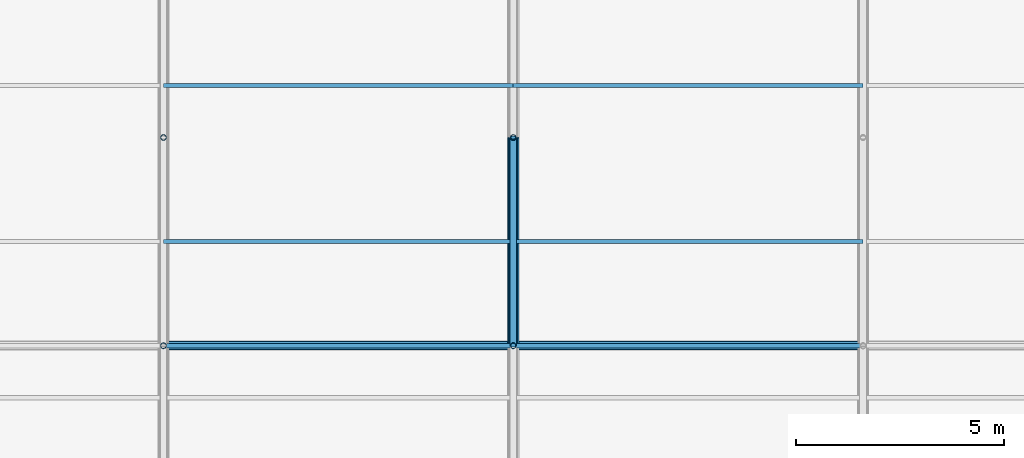
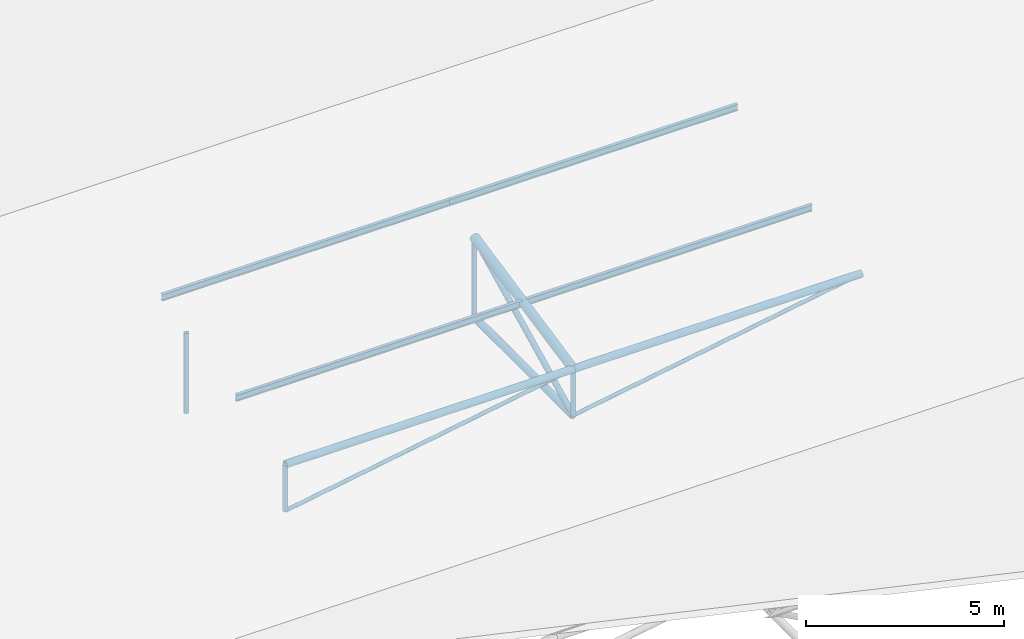
# One storey, part 54 of 194: 11 members, 4 beams.
"""IFC4 building model written with IfcOpenShell, lengths in metres."""

from ifc_helpers import new_model, si_unit, direction, frame, origin, origin_2d, place, context, subcontext, project, spatial, hollow_circle, i_section, extrude, material, material_profile, profile_set, type_object, element, save


model = new_model("IFC4")

# Units and contexts
model_context = context("Model", 3, precision=1e-05, world=origin(), true_north=direction((0.0, 1.0)))
body_context = subcontext(model_context, "Body", "Model", "MODEL_VIEW")
ifc_project = project(units=[si_unit("LENGTHUNIT", "METRE"), si_unit("AREAUNIT", "SQUARE_METRE"), si_unit("VOLUMEUNIT", "CUBIC_METRE"), si_unit("PLANEANGLEUNIT", "RADIAN"), si_unit("MASSUNIT", "GRAM", prefix="KILO")], contexts=[model_context])

# Site, building, storey
site_placement = place(None, origin())
site = spatial("IfcSite", under=ifc_project, at=site_placement, CompositionType="ELEMENT")
building_placement = place(site_placement, origin())
building = spatial("IfcBuilding", under=site, at=building_placement, Name="Kazenagashi Tramway Depot", CompositionType="ELEMENT")
storey_placement = place(building_placement, frame((0.0, 0.0, 23.7)))
storey = spatial("IfcBuildingStorey", under=building, at=storey_placement, Name="ROOF", CompositionType="ELEMENT", Elevation=23.7)

# Beams
ifc_material_1 = material(Name="Steel SN400B", Category="steel")
ifc_material_profile_1 = material_profile(ifc_material_1, i_section(OverallWidth=0.1, OverallDepth=0.2, WebThickness=0.0055, FlangeThickness=0.008, at=origin_2d()), Name="H-200x100x5.5x8")
ifc_profile_set_1 = profile_set([ifc_material_profile_1], Name="Steel SN400B")
beam_type = type_object("IfcBeamType", Name="PR-01", PredefinedType="USERDEFINED", material=ifc_profile_set_1)
for number, where, z_axis, x_axis, name in (
    (1, (112.0, 107.5, -12.13), (1.0, 0.0, 0.0), (0.0, 1.0, 0.0), "Beam PR-01 BM-2152"),
    (2, (120.4, 107.5, -12.13), (1.0, 0.0, 0.0), (0.0, 1.0, 0.0), "Beam PR-01 BM-2153"),
    (3, (112.0, 111.25, -11.305), (1.0, 0.0, 0.0), (0.0, 1.0, 0.0), "Beam PR-01 BM-2170"),
    (4, (120.4, 111.25, -11.305), (1.0, 0.0, 0.0), (0.0, 1.0, 0.0), "Beam PR-01 BM-2171"),
):
    element("IfcBeam", number, at=place(storey_placement, frame(where, z_axis=z_axis, x_axis=x_axis)), inside=storey, type_object=beam_type, Name=name, ObjectType="PURLIN", PredefinedType="USERDEFINED", context=body_context, shape_type="SweptSolid", body=[
        extrude(i_section(OverallWidth=0.1, OverallDepth=0.2, WebThickness=0.0055, FlangeThickness=0.008, at=origin_2d()), origin(), (0.0, 0.0, 1.0), 8.4),
    ])

# Members
ifc_material_2 = material(Name="Steel STK490", Category="steel")
ifc_material_profile_2 = material_profile(ifc_material_2, hollow_circle(Radius=0.1337, WallThickness=0.0093, at=origin_2d()), Name="CHS-267.4x9.3")
ifc_profile_set_2 = profile_set([ifc_material_profile_2], Name="Steel STK490")
member_type_1 = type_object("IfcMemberType", Name="TC-01", PredefinedType="CHORD", material=ifc_profile_set_2)
member_1_placement = place(storey_placement, frame((120.4, 105.0, -12.667), z_axis=(0.0, 0.979279174591, 0.202514933305), x_axis=(-1.0, 0.0, 0.0)))
element("IfcMember", 5, at=member_1_placement, inside=storey, type_object=member_type_1, Name="Tubular Space Frame TC-01 MEM-0584", PredefinedType="CHORD", context=body_context, shape_type="SweptSolid", body=[
    extrude(hollow_circle(Radius=0.1337, WallThickness=0.0093, at=origin_2d()), origin(), (0.0, 0.0, 1.0), 5.105796),
])
ifc_material_profile_3 = material_profile(ifc_material_2, hollow_circle(Radius=0.10815, WallThickness=0.0082, at=origin_2d()), Name="CHS-216.3x8.2")
ifc_profile_set_3 = profile_set([ifc_material_profile_3], Name="Steel STK490")
member_type_2 = type_object("IfcMemberType", Name="TC-02", PredefinedType="CHORD", material=ifc_profile_set_3)
member_2_placement = place(storey_placement, frame((112.0, 105.0, -12.667), z_axis=(1.0, 0.0, 0.0), x_axis=(0.0, 1.0, 0.0)))
element("IfcMember", 6, at=member_2_placement, inside=storey, type_object=member_type_2, Name="Tubular Space Frame TC-02 MEM-0544", PredefinedType="CHORD", context=body_context, shape_type="SweptSolid", body=[
    extrude(hollow_circle(Radius=0.10815, WallThickness=0.0082, at=origin_2d()), origin(), (0.0, 0.0, 1.0), 8.4),
])
member_3_placement = place(storey_placement, frame((120.4, 105.0, -14.1), z_axis=(0.0, 1.0, 0.0), x_axis=(-1.0, 0.0, 0.0)))
element("IfcMember", 7, at=member_3_placement, inside=storey, type_object=member_type_2, Name="Tubular Space Frame TC-02 MEM-0585", PredefinedType="CHORD", context=body_context, shape_type="SweptSolid", body=[
    extrude(hollow_circle(Radius=0.10815, WallThickness=0.0082, at=origin_2d()), origin(), (0.0, 0.0, 1.0), 5.0),
])
member_4_placement = place(storey_placement, frame((120.4, 105.0, -12.667), z_axis=(1.0, 0.0, 0.0), x_axis=(0.0, 1.0, 0.0)))
element("IfcMember", 8, at=member_4_placement, inside=storey, type_object=member_type_2, Name="Tubular Space Frame TC-02 MEM-0605", PredefinedType="CHORD", context=body_context, shape_type="SweptSolid", body=[
    extrude(hollow_circle(Radius=0.10815, WallThickness=0.0082, at=origin_2d()), origin(), (0.0, 0.0, 1.0), 8.4),
])
ifc_material_profile_4 = material_profile(ifc_material_2, hollow_circle(Radius=0.0826, WallThickness=0.0071, at=origin_2d()), Name="CHS-165.2x7.1")
ifc_profile_set_4 = profile_set([ifc_material_profile_4], Name="Steel STK490")
member_type_3 = type_object("IfcMemberType", Name="TS-01", PredefinedType="STRUT", material=ifc_profile_set_4)
member_5_placement = place(storey_placement, frame((120.4, 105.0, -14.1), z_axis=(0.0, 0.896782162482, 0.442472318969), x_axis=(-1.0, 0.0, 0.0)))
element("IfcMember", 9, at=member_5_placement, inside=storey, type_object=member_type_3, Name="Tubular Space Frame TS-01 MEM-0586", PredefinedType="STRUT", context=body_context, shape_type="SweptSolid", body=[
    extrude(hollow_circle(Radius=0.0826, WallThickness=0.0071, at=origin_2d()), origin(), (0.0, 0.0, 1.0), 5.57549),
])
ifc_material_profile_5 = material_profile(ifc_material_2, hollow_circle(Radius=0.0699, WallThickness=0.0066, at=origin_2d()), Name="CHS-139.8x6.6")
ifc_profile_set_5 = profile_set([ifc_material_profile_5], Name="Steel STK490")
member_type_4 = type_object("IfcMemberType", Name="TS-02", PredefinedType="STRUT", material=ifc_profile_set_5)
member_6_placement = place(storey_placement, frame((112.0, 105.0, -14.1), z_axis=(0.0, 0.0, 1.0), x_axis=(1.0, 0.0, 0.0)))
element("IfcMember", 10, at=member_6_placement, inside=storey, type_object=member_type_4, Name="Tubular Space Frame TS-02 MEM-0538", PredefinedType="STRUT", context=body_context, shape_type="SweptSolid", body=[
    extrude(hollow_circle(Radius=0.0699, WallThickness=0.0066, at=origin_2d()), origin(), (0.0, 0.0, 1.0), 1.433),
])
member_7_placement = place(storey_placement, frame((112.0, 110.0, -14.1), z_axis=(0.0, 0.0, 1.0), x_axis=(1.0, 0.0, 0.0)))
element("IfcMember", 11, at=member_7_placement, inside=storey, type_object=member_type_4, Name="Tubular Space Frame TS-02 MEM-0539", PredefinedType="STRUT", context=body_context, shape_type="SweptSolid", body=[
    extrude(hollow_circle(Radius=0.0699, WallThickness=0.0066, at=origin_2d()), origin(), (0.0, 0.0, 1.0), 2.467),
])
member_8_placement = place(storey_placement, frame((120.4, 105.0, -14.1), z_axis=(0.0, 0.0, 1.0), x_axis=(1.0, 0.0, 0.0)))
element("IfcMember", 12, at=member_8_placement, inside=storey, type_object=member_type_4, Name="Tubular Space Frame TS-02 MEM-0599", PredefinedType="STRUT", context=body_context, shape_type="SweptSolid", body=[
    extrude(hollow_circle(Radius=0.0699, WallThickness=0.0066, at=origin_2d()), origin(), (0.0, 0.0, 1.0), 1.433),
])
member_9_placement = place(storey_placement, frame((120.4, 110.0, -14.1), z_axis=(0.0, 0.0, 1.0), x_axis=(1.0, 0.0, 0.0)))
element("IfcMember", 13, at=member_9_placement, inside=storey, type_object=member_type_4, Name="Tubular Space Frame TS-02 MEM-0600", PredefinedType="STRUT", context=body_context, shape_type="SweptSolid", body=[
    extrude(hollow_circle(Radius=0.0699, WallThickness=0.0066, at=origin_2d()), origin(), (0.0, 0.0, 1.0), 2.467),
])
ifc_material_3 = material(Name="Steel STK400", Category="steel")
ifc_material_profile_6 = material_profile(ifc_material_3, hollow_circle(Radius=0.05715, WallThickness=0.0045, at=origin_2d()), Name="CHS-114.3x4.5")
ifc_profile_set_6 = profile_set([ifc_material_profile_6], Name="Steel STK400")
member_type_5 = type_object("IfcMemberType", Name="TS-03", PredefinedType="STRUT", material=ifc_profile_set_6)
for number, where, z_axis, x_axis, name in (
    (14, (112.0, 105.0, -14.1), (0.985758734117, 0.0, 0.168165745951), (0.0, 1.0, 0.0), "Tubular Space Frame TS-03 MEM-0545"),
    (15, (120.4, 105.0, -14.1), (0.985758734117, 0.0, 0.168165745951), (0.0, 1.0, 0.0), "Tubular Space Frame TS-03 MEM-0606"),
):
    element("IfcMember", number, at=place(storey_placement, frame(where, z_axis=z_axis, x_axis=x_axis)), inside=storey, type_object=member_type_5, Name=name, PredefinedType="STRUT", context=body_context, shape_type="SweptSolid", body=[
        extrude(hollow_circle(Radius=0.05715, WallThickness=0.0045, at=origin_2d()), origin(), (0.0, 0.0, 1.0), 8.521355),
    ])

save(model, "model.ifc")
